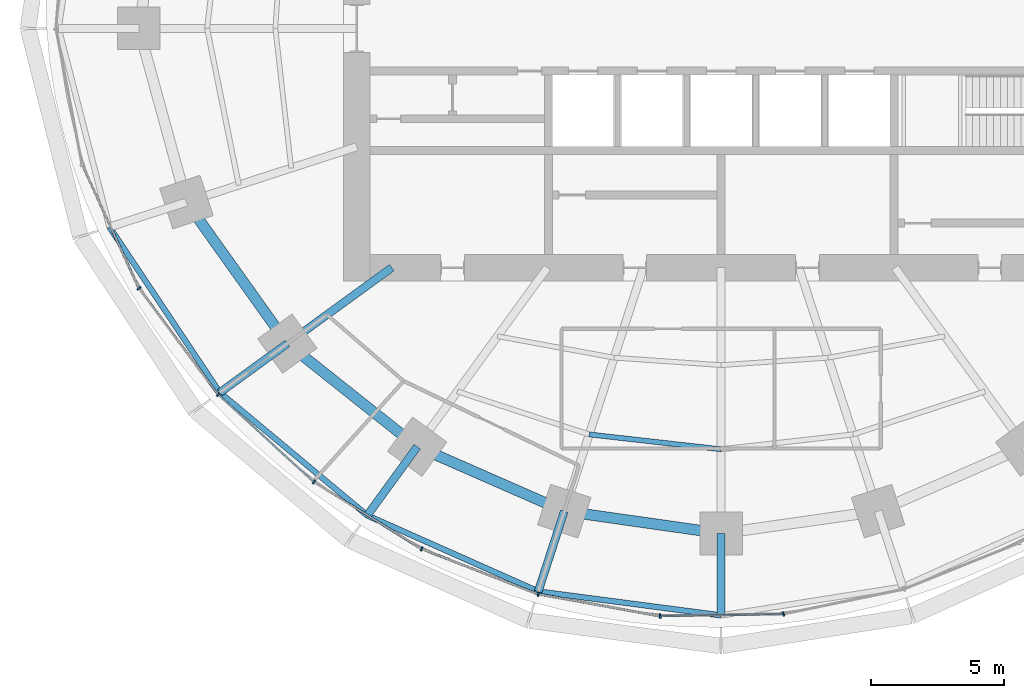
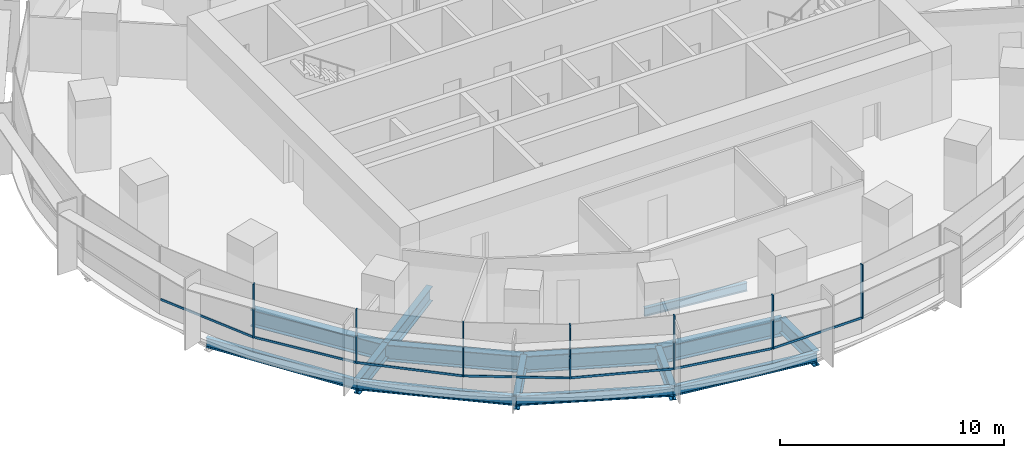
# One storey, part 2 of 14: 14 beams, 14 members, 2 elements without a shape of their own.
"""IFC4 building model written with IfcOpenShell, lengths in metres."""

from ifc_helpers import new_model, si_unit, direction, frame, origin, origin_2d, place, context, subcontext, project, spatial, rectangle, i_section, extrude, material, material_profile, profile_set, type_object, element, aggregate, save


model = new_model("IFC4")

# Units and contexts
model_context = context("Model", 3, precision=1e-05, world=origin(), true_north=direction((0.0, 1.0)))
body_context = subcontext(model_context, "Body", "Model", "MODEL_VIEW")
ifc_project = project(units=[si_unit("LENGTHUNIT", "METRE"), si_unit("AREAUNIT", "SQUARE_METRE"), si_unit("VOLUMEUNIT", "CUBIC_METRE"), si_unit("PLANEANGLEUNIT", "RADIAN"), si_unit("MASSUNIT", "GRAM", prefix="KILO")], contexts=[model_context])

# Site, building, storey
site_placement = place(None, origin())
site = spatial("IfcSite", under=ifc_project, at=site_placement, CompositionType="ELEMENT")
building_placement = place(site_placement, origin())
building = spatial("IfcBuilding", under=site, at=building_placement, Name="Marramba Exchange Tower", CompositionType="ELEMENT")
storey_placement = place(building_placement, frame((0.0, 0.0, 154.800048828125)))
storey = spatial("IfcBuildingStorey", under=building, at=storey_placement, Name="L37", CompositionType="ELEMENT", Elevation=154.800048828125)

# Beams
ifc_material_1 = material(Name="Steel AS/NZS 3679.2 grade 300", Category="steel")
ifc_material_profile_1 = material_profile(ifc_material_1, i_section(OverallWidth=0.300048828125, OverallDepth=0.800048828125, WebThickness=0.013916015625, FlangeThickness=0.031982421875, at=origin_2d()), Name="800WB192")
ifc_profile_set_1 = profile_set([ifc_material_profile_1], Name="Steel AS/NZS 3679.2 grade 300")
beam_type_1 = type_object("IfcBeamType", Name="Cantilever girder 800WB192", PredefinedType="BEAM", material=ifc_profile_set_1)
beam_1_placement = place(storey_placement, frame((-16.3154296875, -11.853759765625, -0.56005859375), z_axis=(-0.809025813822, -0.587773113173, 0.0), x_axis=(0.587773113173, -0.809025813822, 0.0)))
element("IfcBeam", 1, at=beam_1_placement, inside=storey, type_object=beam_type_1, Name="Cantilever girder L37 TC13", PredefinedType="BEAM", context=body_context, shape_type="SweptSolid", body=[
    extrude(i_section(OverallWidth=0.300048828125, OverallDepth=0.800048828125, WebThickness=0.013916015625, FlangeThickness=0.031982421875, at=origin_2d()), origin(), (0.0, 0.0, 1.0), 3.132568359375),
])
beam_2_placement = place(storey_placement, frame((-11.430419921875, -15.732666015625, -0.56005859375), z_axis=(-0.587767308424, -0.809030031054, 0.0), x_axis=(0.809030031054, -0.587767308424, 0.0)))
element("IfcBeam", 2, at=beam_2_placement, inside=storey, type_object=beam_type_1, Name="Cantilever girder L37 TC14", PredefinedType="BEAM", context=body_context, shape_type="SweptSolid", body=[
    extrude(i_section(OverallWidth=0.300048828125, OverallDepth=0.800048828125, WebThickness=0.013916015625, FlangeThickness=0.031982421875, at=origin_2d()), origin(), (0.0, 0.0, 1.0), 3.195556640625),
])
beam_3_placement = place(storey_placement, frame((-5.899658203125, -18.156982421875, -0.56005859375), z_axis=(-0.309018232614, -0.951056113966, 0.0), x_axis=(0.951056113966, -0.309018232614, 0.0)))
element("IfcBeam", 3, at=beam_3_placement, inside=storey, type_object=beam_type_1, Name="Cantilever girder L37 TC15", PredefinedType="BEAM", context=body_context, shape_type="SweptSolid", body=[
    extrude(i_section(OverallWidth=0.300048828125, OverallDepth=0.800048828125, WebThickness=0.013916015625, FlangeThickness=0.031982421875, at=origin_2d()), origin(), (0.0, 0.0, 1.0), 3.173583984375),
])
beam_4_placement = place(storey_placement, frame((0.0, -18.99609375, -0.56005859375), z_axis=(0.0, -1.0, 0.0), x_axis=(1.0, 0.0, 0.0)))
element("IfcBeam", 4, at=beam_4_placement, inside=storey, type_object=beam_type_1, Name="Cantilever girder L37 TC16", PredefinedType="BEAM", context=body_context, shape_type="SweptSolid", body=[
    extrude(i_section(OverallWidth=0.300048828125, OverallDepth=0.800048828125, WebThickness=0.013916015625, FlangeThickness=0.031982421875, at=origin_2d()), origin(), (0.0, 0.0, 1.0), 3.080810546875),
])
ifc_material_2 = material(Name="Steel AS/NZS 3679.1 grade 300", Category="steel")
ifc_material_profile_2 = material_profile(ifc_material_2, i_section(OverallWidth=0.18994140625, OverallDepth=0.4541015625, WebThickness=0.008544921875, FlangeThickness=0.0126953125, FilletRadius=0.011474609375, at=origin_2d()), Name="460UB67.1")
ifc_profile_set_2 = profile_set([ifc_material_profile_2], Name="Steel AS/NZS 3679.1 grade 300")
beam_type_2 = type_object("IfcBeamType", Name="Floor joist 460UB67.1", PredefinedType="JOIST", material=ifc_profile_set_2)
beam_5_placement = place(storey_placement, frame((-4.9619140625, -15.271484375, -0.386962890625), z_axis=(0.993712018573, -0.111966174106, 0.0), x_axis=(0.111966174106, 0.993712018573, 0.0)))
element("IfcBeam", 5, at=beam_5_placement, inside=storey, type_object=beam_type_2, Name="Joist L37 bay 15 row 2", PredefinedType="JOIST", context=body_context, shape_type="SweptSolid", body=[
    extrude(i_section(OverallWidth=0.18994140625, OverallDepth=0.4541015625, WebThickness=0.008544921875, FlangeThickness=0.0126953125, FilletRadius=0.011474609375, at=origin_2d()), origin(), (0.0, 0.0, 1.0), 4.993408203125),
])

# Curtain wall, members
ifc_material_3 = material(Name="Aluminium framing, bronze anodised", Category="aluminium")
curtain_wall_type = type_object("IfcCurtainWallType", Name="Office ribbon curtain wall", PredefinedType="USERDEFINED", material=ifc_material_3)
curtain_wall_1_placement = place(storey_placement, origin())
curtain_wall_1 = element("IfcCurtainWall", 6, at=curtain_wall_1_placement, inside=storey, type_object=curtain_wall_type, Name="Curtain wall CW4 L37 F16-F20", ObjectType="RIBBON CURTAIN WALL", PredefinedType="USERDEFINED")
ifc_material_4 = material(Name="Aluminium mullion, bronze anodised", Category="aluminium")
ifc_material_profile_3 = material_profile(ifc_material_4, rectangle(XDim=0.159912109375, YDim=0.06005859375, at=origin_2d()), Name="CW4 mullion 60x160")
ifc_profile_set_3 = profile_set([ifc_material_profile_3], Name="Aluminium mullion, bronze anodised")
member_type_1 = type_object("IfcMemberType", Name="Office ribbon curtain wall mullion", PredefinedType="MULLION", material=ifc_profile_set_3)
member_1_placement = place(storey_placement, frame((-21.891357421875, -9.778564453125, 0.800048828125), z_axis=(0.0, 0.0, 1.0), x_axis=(0.802014400683, 0.597304697033, 0.0)))
member_1 = element("IfcMember", 7, at=member_1_placement, type_object=member_type_1, Name="CW4 mullion 1", PredefinedType="MULLION", context=body_context, shape_type="SweptSolid", body=[
    extrude(rectangle(XDim=0.159912109375, YDim=0.06005859375, at=origin_2d()), origin(), (0.0, 0.0, 1.0), 2.93994140625),
])
member_2_placement = place(storey_placement, frame((-18.90869140625, -13.774169921875, 0.800048828125), z_axis=(0.0, 0.0, 1.0), x_axis=(0.674995455115, 0.737821886077, 0.0)))
member_2 = element("IfcMember", 8, at=member_2_placement, type_object=member_type_1, Name="CW4 mullion 1", PredefinedType="MULLION", context=body_context, shape_type="SweptSolid", body=[
    extrude(rectangle(XDim=0.159912109375, YDim=0.06005859375, at=origin_2d()), origin(), (0.0, 0.0, 1.0), 2.93994140625),
])
member_3_placement = place(storey_placement, frame((-15.315673828125, -17.053955078125, 0.800048828125), z_axis=(0.0, 0.0, 1.0), x_axis=(0.52942844364, 0.84835459748, 0.0)))
member_3 = element("IfcMember", 9, at=member_3_placement, type_object=member_type_1, Name="CW4 mullion 1", PredefinedType="MULLION", context=body_context, shape_type="SweptSolid", body=[
    extrude(rectangle(XDim=0.159912109375, YDim=0.06005859375, at=origin_2d()), origin(), (0.0, 0.0, 1.0), 2.93994140625),
])

curtain_wall_2_placement = place(storey_placement, origin())
curtain_wall_2 = element("IfcCurtainWall", 10, at=curtain_wall_2_placement, inside=storey, type_object=curtain_wall_type, Name="Curtain wall CW4 L37 F21-F25", ObjectType="RIBBON CURTAIN WALL", PredefinedType="USERDEFINED")
member_4_placement = place(storey_placement, frame((-11.266845703125, -19.573974609375, 0.800048828125), z_axis=(0.0, 0.0, 1.0), x_axis=(0.36292490603, 0.931818390344, 0.0)))
member_4 = element("IfcMember", 11, at=member_4_placement, type_object=member_type_1, Name="CW4 mullion 1", PredefinedType="MULLION", context=body_context, shape_type="SweptSolid", body=[
    extrude(rectangle(XDim=0.159912109375, YDim=0.06005859375, at=origin_2d()), origin(), (0.0, 0.0, 1.0), 2.93994140625),
])
member_5_placement = place(storey_placement, frame((-6.881591796875, -21.27587890625, 0.800048828125), z_axis=(0.0, 0.0, 1.0), x_axis=(0.177992379115, 0.984031865834, 0.0)))
member_5 = element("IfcMember", 12, at=member_5_placement, type_object=member_type_1, Name="CW4 mullion 1", PredefinedType="MULLION", context=body_context, shape_type="SweptSolid", body=[
    extrude(rectangle(XDim=0.159912109375, YDim=0.06005859375, at=origin_2d()), origin(), (0.0, 0.0, 1.0), 2.93994140625),
])
member_6_placement = place(storey_placement, frame((-2.292724609375, -22.099853515625, 0.800048828125), z_axis=(0.0, 0.0, 1.0), x_axis=(-0.015178646521, 0.999884797709, 0.0)))
member_6 = element("IfcMember", 13, at=member_6_placement, type_object=member_type_1, Name="CW4 mullion 1", PredefinedType="MULLION", context=body_context, shape_type="SweptSolid", body=[
    extrude(rectangle(XDim=0.159912109375, YDim=0.06005859375, at=origin_2d()), origin(), (0.0, 0.0, 1.0), 2.93994140625),
])
member_7_placement = place(storey_placement, frame((2.3447265625, -22.02392578125, 0.800048828125), z_axis=(0.0, 0.0, 1.0), x_axis=(-0.202364850159, 0.979310199794, 0.0)))
member_7 = element("IfcMember", 14, at=member_7_placement, type_object=member_type_1, Name="CW4 mullion 1", PredefinedType="MULLION", context=body_context, shape_type="SweptSolid", body=[
    extrude(rectangle(XDim=0.159912109375, YDim=0.06005859375, at=origin_2d()), origin(), (0.0, 0.0, 1.0), 2.93994140625),
])

# Member
ifc_material_5 = material(Name="Aluminium transom, bronze anodised", Category="aluminium")
ifc_material_profile_4 = material_profile(ifc_material_5, rectangle(XDim=0.06005859375, YDim=0.1201171875, at=origin_2d()), Name="CW4 transom 60x120")
ifc_profile_set_4 = profile_set([ifc_material_profile_4], Name="Aluminium transom, bronze anodised")
member_type_2 = type_object("IfcMemberType", Name="Office ribbon curtain wall transom", PredefinedType="USERDEFINED", material=ifc_profile_set_4)
member_8_placement = place(storey_placement, frame((-24.013671875, -5.1640625, 0.829833984375), z_axis=(0.416732948599, -0.909028959688, 0.0), x_axis=(0.909028959688, 0.416732948599, 0.0)))
member_8 = element("IfcMember", 15, at=member_8_placement, type_object=member_type_2, Name="CW4 sill transom", ObjectType="TRANSOM", PredefinedType="USERDEFINED", context=body_context, shape_type="SweptSolid", body=[
    extrude(rectangle(XDim=0.06005859375, YDim=0.1201171875, at=origin_2d()), origin(), (0.0, 0.0, 1.0), 5.050048828125),
])

member_9_placement = place(storey_placement, frame((-21.873291015625, -9.802734375, 0.829833984375), z_axis=(0.597300736643, -0.80201735019, 0.0), x_axis=(0.80201735019, 0.597300736643, 0.0)))
member_9 = element("IfcMember", 16, at=member_9_placement, type_object=member_type_2, Name="CW4 sill transom", ObjectType="TRANSOM", PredefinedType="USERDEFINED", context=body_context, shape_type="SweptSolid", body=[
    extrude(rectangle(XDim=0.06005859375, YDim=0.1201171875, at=origin_2d()), origin(), (0.0, 0.0, 1.0), 4.926513671875),
])

member_10_placement = place(storey_placement, frame((-18.886474609375, -13.79443359375, 0.829833984375), z_axis=(0.737807565469, -0.675011108306, 0.0), x_axis=(0.675011108306, 0.737807565469, 0.0)))
member_10 = element("IfcMember", 17, at=member_10_placement, type_object=member_type_2, Name="CW4 sill transom", ObjectType="TRANSOM", PredefinedType="USERDEFINED", context=body_context, shape_type="SweptSolid", body=[
    extrude(rectangle(XDim=0.06005859375, YDim=0.1201171875, at=origin_2d()), origin(), (0.0, 0.0, 1.0), 4.805419921875),
])

member_11_placement = place(storey_placement, frame((-15.2900390625, -17.06982421875, 0.829833984375), z_axis=(0.848373790728, -0.529397687193, 0.0), x_axis=(0.529397687193, 0.848373790728, 0.0)))
member_11 = element("IfcMember", 18, at=member_11_placement, type_object=member_type_2, Name="CW4 sill transom", ObjectType="TRANSOM", PredefinedType="USERDEFINED", context=body_context, shape_type="SweptSolid", body=[
    extrude(rectangle(XDim=0.06005859375, YDim=0.1201171875, at=origin_2d()), origin(), (0.0, 0.0, 1.0), 4.70947265625),
])

aggregate(curtain_wall_1, [member_8, member_1, member_9, member_2, member_10, member_3, member_11])

member_12_placement = place(storey_placement, frame((-11.23876953125, -19.5849609375, 0.829833984375), z_axis=(0.931817106708, -0.362928201778, 0.0), x_axis=(0.362928201778, 0.931817106708, 0.0)))
member_12 = element("IfcMember", 19, at=member_12_placement, type_object=member_type_2, Name="CW4 sill transom", ObjectType="TRANSOM", PredefinedType="USERDEFINED", context=body_context, shape_type="SweptSolid", body=[
    extrude(rectangle(XDim=0.06005859375, YDim=0.1201171875, at=origin_2d()), origin(), (0.0, 0.0, 1.0), 4.644287109375),
])

member_13_placement = place(storey_placement, frame((-6.85205078125, -21.281005859375, 0.829833984375), z_axis=(0.98402906811, -0.178007845654, 0.0), x_axis=(0.178007845654, 0.98402906811, 0.0)))
member_13 = element("IfcMember", 20, at=member_13_placement, type_object=member_type_2, Name="CW4 sill transom", ObjectType="TRANSOM", PredefinedType="USERDEFINED", context=body_context, shape_type="SweptSolid", body=[
    extrude(rectangle(XDim=0.06005859375, YDim=0.1201171875, at=origin_2d()), origin(), (0.0, 0.0, 1.0), 4.602783203125),
])

member_14_placement = place(storey_placement, frame((-2.262939453125, -22.099365234375, 0.829833984375), z_axis=(0.999885345665, 0.015142507235, 0.0), x_axis=(-0.015142507235, 0.999885345665, 0.0)))
member_14 = element("IfcMember", 21, at=member_14_placement, type_object=member_type_2, Name="CW4 sill transom", ObjectType="TRANSOM", PredefinedType="USERDEFINED", context=body_context, shape_type="SweptSolid", body=[
    extrude(rectangle(XDim=0.06005859375, YDim=0.1201171875, at=origin_2d()), origin(), (0.0, 0.0, 1.0), 4.578857421875),
])

aggregate(curtain_wall_2, [member_4, member_12, member_5, member_13, member_6, member_14, member_7])

# Beams
ifc_material_profile_5 = material_profile(ifc_material_1, i_section(OverallWidth=0.300048828125, OverallDepth=0.800048828125, WebThickness=0.013916015625, FlangeThickness=0.031982421875, at=origin_2d()), Name="800WB192")
ifc_profile_set_5 = profile_set([ifc_material_profile_5], Name="Steel AS/NZS 3679.2 grade 300")
beam_type_3 = type_object("IfcBeamType", Name="Radial girder 800WB192", PredefinedType="BEAM", material=ifc_profile_set_5)
beam_6_placement = place(storey_placement, frame((-12.387451171875, -9.0, -0.56005859375), z_axis=(-0.809025189606, -0.58777397236, 0.0), x_axis=(0.58777397236, -0.809025189606, 0.0)))
element("IfcBeam", 22, at=beam_6_placement, inside=storey, type_object=beam_type_3, Name="Radial girder L37 TC13", PredefinedType="BEAM", context=body_context, shape_type="SweptSolid", body=[
    extrude(i_section(OverallWidth=0.300048828125, OverallDepth=0.800048828125, WebThickness=0.013916015625, FlangeThickness=0.031982421875, at=origin_2d()), origin(), (0.0, 0.0, 1.0), 4.855224609375),
])
ifc_material_profile_6 = material_profile(ifc_material_1, i_section(OverallWidth=0.39990234375, OverallDepth=0.89990234375, WebThickness=0.01611328125, FlangeThickness=0.031982421875, at=origin_2d()), Name="900WB282")
ifc_profile_set_6 = profile_set([ifc_material_profile_6], Name="Steel AS/NZS 3679.2 grade 300")
beam_type_4 = type_object("IfcBeamType", Name="Ring beam 900WB282", PredefinedType="SPANDREL", material=ifc_profile_set_6)
beam_7_placement = place(storey_placement, frame((-20.109375, -6.533935546875, -0.610107421875), z_axis=(0.580637181111, -0.814162430914, 0.0), x_axis=(0.814162430914, 0.580637181111, 0.0)))
element("IfcBeam", 23, at=beam_7_placement, inside=storey, type_object=beam_type_4, Name="Ring beam L37 TC12-TC13", PredefinedType="SPANDREL", context=body_context, shape_type="SweptSolid", body=[
    extrude(i_section(OverallWidth=0.39990234375, OverallDepth=0.89990234375, WebThickness=0.01611328125, FlangeThickness=0.031982421875, at=origin_2d()), origin(), (0.0, 0.0, 1.0), 6.5341796875),
])
beam_8_placement = place(storey_placement, frame((-16.3154296875, -11.853759765625, -0.610107421875), z_axis=(0.783139438128, -0.621846138887, 0.0), x_axis=(0.621846138887, 0.783139438128, 0.0)))
element("IfcBeam", 24, at=beam_8_placement, inside=storey, type_object=beam_type_4, Name="Ring beam L37 TC13-TC14", PredefinedType="SPANDREL", context=body_context, shape_type="SweptSolid", body=[
    extrude(i_section(OverallWidth=0.39990234375, OverallDepth=0.89990234375, WebThickness=0.01611328125, FlangeThickness=0.031982421875, at=origin_2d()), origin(), (0.0, 0.0, 1.0), 6.23779296875),
])
beam_9_placement = place(storey_placement, frame((-11.430419921875, -15.732666015625, -0.610107421875), z_axis=(0.915876892158, -0.4014592363, 0.0), x_axis=(0.4014592363, 0.915876892158, 0.0)))
element("IfcBeam", 25, at=beam_9_placement, inside=storey, type_object=beam_type_4, Name="Ring beam L37 TC14-TC15", PredefinedType="SPANDREL", context=body_context, shape_type="SweptSolid", body=[
    extrude(i_section(OverallWidth=0.39990234375, OverallDepth=0.89990234375, WebThickness=0.01611328125, FlangeThickness=0.031982421875, at=origin_2d()), origin(), (0.0, 0.0, 1.0), 6.038818359375),
])
beam_10_placement = place(storey_placement, frame((-5.899658203125, -18.156982421875, -0.610107421875), z_axis=(0.990036163016, -0.140813337152, 0.0), x_axis=(0.140813337152, 0.990036163016, 0.0)))
element("IfcBeam", 26, at=beam_10_placement, inside=storey, type_object=beam_type_4, Name="Ring beam L37 TC15-TC16", PredefinedType="SPANDREL", context=body_context, shape_type="SweptSolid", body=[
    extrude(i_section(OverallWidth=0.39990234375, OverallDepth=0.89990234375, WebThickness=0.01611328125, FlangeThickness=0.031982421875, at=origin_2d()), origin(), (0.0, 0.0, 1.0), 5.958984375),
])
ifc_material_profile_7 = material_profile(ifc_material_2, i_section(OverallWidth=0.208984375, OverallDepth=0.528076171875, WebThickness=0.009521484375, FlangeThickness=0.01318359375, FilletRadius=0.013916015625, at=origin_2d()), Name="530UB82.0")
ifc_profile_set_7 = profile_set([ifc_material_profile_7], Name="Steel AS/NZS 3679.1 grade 300")
beam_type_5 = type_object("IfcBeamType", Name="Slab edge beam 530UB82.0", PredefinedType="SPANDREL", material=ifc_profile_set_7)
beam_11_placement = place(storey_placement, frame((-23.00341796875, -7.47412109375, -0.424072265625), z_axis=(0.555280023791, -0.831663450669, 0.0), x_axis=(0.831663450669, 0.555280023791, 0.0)))
element("IfcBeam", 27, at=beam_11_placement, inside=storey, type_object=beam_type_5, Name="Slab edge beam L37 TC12-TC13", PredefinedType="SPANDREL", context=body_context, shape_type="SweptSolid", body=[
    extrude(i_section(OverallWidth=0.208984375, OverallDepth=0.528076171875, WebThickness=0.009521484375, FlangeThickness=0.01318359375, FilletRadius=0.013916015625, at=origin_2d()), origin(), (0.0, 0.0, 1.0), 7.480224609375),
])
beam_12_placement = place(storey_placement, frame((-18.849853515625, -13.695068359375, -0.424072265625), z_axis=(0.767874532322, -0.640600267415, 0.0), x_axis=(0.640600267415, 0.767874532322, 0.0)))
element("IfcBeam", 28, at=beam_12_placement, inside=storey, type_object=beam_type_5, Name="Slab edge beam L37 TC13-TC14", PredefinedType="SPANDREL", context=body_context, shape_type="SweptSolid", body=[
    extrude(i_section(OverallWidth=0.208984375, OverallDepth=0.528076171875, WebThickness=0.009521484375, FlangeThickness=0.01318359375, FilletRadius=0.013916015625, at=origin_2d()), origin(), (0.0, 0.0, 1.0), 7.21630859375),
])
beam_13_placement = place(storey_placement, frame((-13.30859375, -18.31787109375, -0.424072265625), z_axis=(0.913788648873, -0.406189986571, 0.0), x_axis=(0.406189986571, 0.913788648873, 0.0)))
element("IfcBeam", 29, at=beam_13_placement, inside=storey, type_object=beam_type_5, Name="Slab edge beam L37 TC14-TC15", PredefinedType="SPANDREL", context=body_context, shape_type="SweptSolid", body=[
    extrude(i_section(OverallWidth=0.208984375, OverallDepth=0.528076171875, WebThickness=0.009521484375, FlangeThickness=0.01318359375, FilletRadius=0.013916015625, at=origin_2d()), origin(), (0.0, 0.0, 1.0), 7.03466796875),
])
beam_14_placement = place(storey_placement, frame((-6.88037109375, -21.17529296875, -0.424072265625), z_axis=(0.991523133546, -0.129930272237, 0.0), x_axis=(0.129930272237, 0.991523133546, 0.0)))
element("IfcBeam", 30, at=beam_14_placement, inside=storey, type_object=beam_type_5, Name="Slab edge beam L37 TC15-TC16", PredefinedType="SPANDREL", context=body_context, shape_type="SweptSolid", body=[
    extrude(i_section(OverallWidth=0.208984375, OverallDepth=0.528076171875, WebThickness=0.009521484375, FlangeThickness=0.01318359375, FilletRadius=0.013916015625, at=origin_2d()), origin(), (0.0, 0.0, 1.0), 6.939208984375),
])

save(model, "model.ifc")
